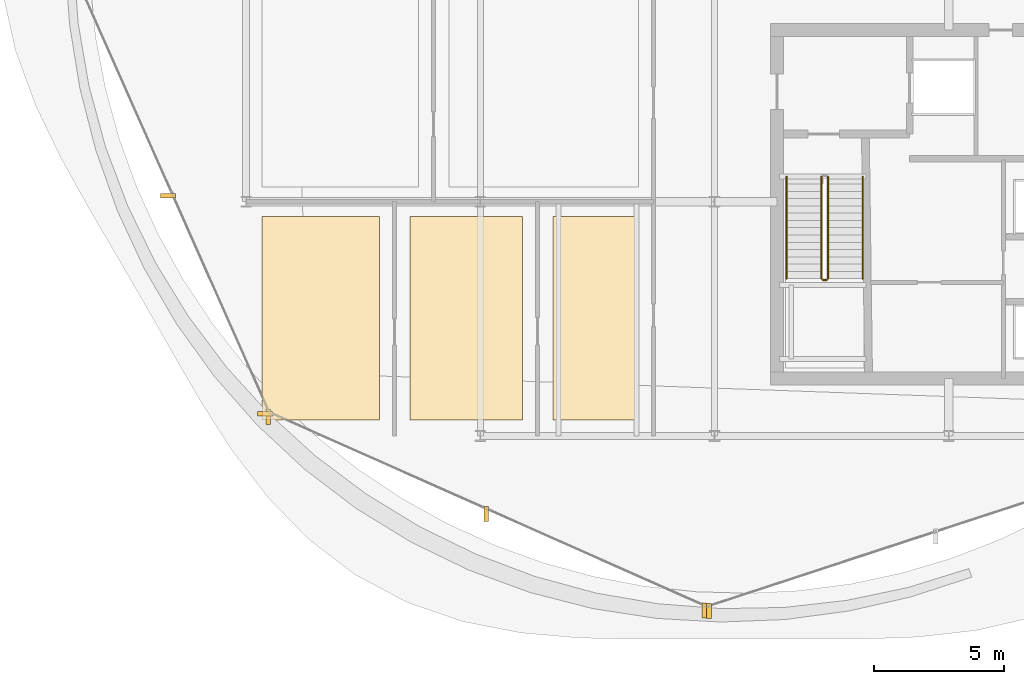
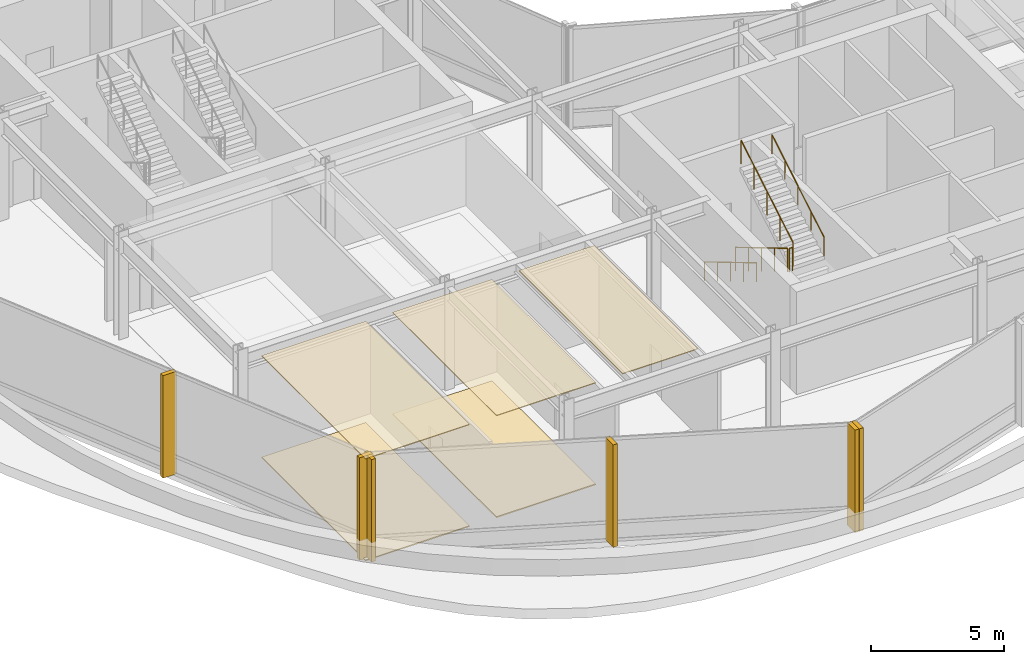
# One storey, part 23 of 29: 11 coverings, 5 railings.
"""IFC4 building model written with IfcOpenShell, lengths in metres."""

from ifc_helpers import new_model, si_unit, direction, frame, origin, origin_2d, place, context, subcontext, project, spatial, polyline, rectangle, circle, outline, extrude, material, layer, layer_set, type_object, element, save


model = new_model("IFC4")

# Units and contexts
model_context = context("Model", 3, precision=1e-05, world=origin(), true_north=direction((0.0, 1.0)))
body_context = subcontext(model_context, "Body", "Model", "MODEL_VIEW")
ifc_project = project(units=[si_unit("LENGTHUNIT", "METRE"), si_unit("AREAUNIT", "SQUARE_METRE"), si_unit("VOLUMEUNIT", "CUBIC_METRE"), si_unit("PLANEANGLEUNIT", "RADIAN"), si_unit("MASSUNIT", "GRAM", prefix="KILO")], contexts=[model_context])

# Site, building, storey
site_placement = place(None, origin())
site = spatial("IfcSite", under=ifc_project, at=site_placement, CompositionType="ELEMENT")
building_placement = place(site_placement, origin())
building = spatial("IfcBuilding", under=site, at=building_placement, Name="Solvaryn Broadcast Tower", CompositionType="ELEMENT")
storey_placement = place(building_placement, frame((0.0, 0.0, 169.199951171875)))
storey = spatial("IfcBuildingStorey", under=building, at=storey_placement, Name="L42", CompositionType="ELEMENT", Elevation=169.199951171875)

# Coverings
ifc_material_1 = material(Name="Micro-Perforated Acoustic Gypsum Ceiling", Category="concrete")
ifc_layer_1 = layer(ifc_material_1, 0.0400390625)
ifc_layer_set_1 = layer_set([ifc_layer_1], Name="CV-CEIL-ACOUSTIC")
covering_type_1 = type_object("IfcCoveringType", Name="CV-CEIL-ACOUSTIC", PredefinedType="CEILING", material=ifc_layer_set_1)
covering_1_placement = place(storey_placement, frame((0.0, 0.0, 4.679931640625)))
element("IfcCovering", 1, at=covering_1_placement, inside=storey, type_object=covering_type_1, Name="L42 Room Acoustic Ceiling 3", PredefinedType="CEILING", context=body_context, shape_type="SweptSolid", body=[
    extrude(outline(polyline([(9.60009765625, 9.60009765625), (14.1298828125, 9.60009765625), (14.1298828125, 17.429931640625), (9.60009765625, 17.429931640625), (9.60009765625, 9.60009765625)])), origin(), (0.0, 0.0, 1.0), 0.0400390625),
])
covering_2_placement = place(storey_placement, frame((0.0, 0.0, 4.679931640625)))
element("IfcCovering", 2, at=covering_2_placement, inside=storey, type_object=covering_type_1, Name="L42 Room Acoustic Ceiling 4", PredefinedType="CEILING", context=body_context, shape_type="SweptSolid", body=[
    extrude(outline(polyline([(15.300048828125, 9.60009765625), (19.6298828125, 9.60009765625), (19.6298828125, 17.429931640625), (15.300048828125, 17.429931640625), (15.300048828125, 9.60009765625)])), origin(), (0.0, 0.0, 1.0), 0.0400390625),
])
covering_3_placement = place(storey_placement, frame((0.0, 0.0, 4.679931640625)))
element("IfcCovering", 3, at=covering_3_placement, inside=storey, type_object=covering_type_1, Name="L42 Room Acoustic Ceiling 5", PredefinedType="CEILING", context=body_context, shape_type="SweptSolid", body=[
    extrude(outline(polyline([(20.800048828125, 9.60009765625), (24.080078125, 9.60009765625), (24.080078125, 17.429931640625), (20.800048828125, 17.429931640625), (20.800048828125, 9.60009765625)])), origin(), (0.0, 0.0, 1.0), 0.0400390625),
])
ifc_material_2 = material(Name="Newsroom Raised Data Access Flooring", Category="steel")
ifc_layer_2 = layer(ifc_material_2, 0.050048828125)
ifc_layer_set_2 = layer_set([ifc_layer_2], Name="CV-FLOOR-RAISED")
covering_type_2 = type_object("IfcCoveringType", Name="CV-FLOOR-RAISED", PredefinedType="FLOORING", material=ifc_layer_set_2)
covering_4_placement = place(storey_placement, origin())
element("IfcCovering", 4, at=covering_4_placement, inside=storey, type_object=covering_type_2, Name="L42 Room Acoustic Floor Finish 3", PredefinedType="FLOORING", context=body_context, shape_type="SweptSolid", body=[
    extrude(outline(polyline([(9.60009765625, 9.60009765625), (14.1298828125, 9.60009765625), (14.1298828125, 17.429931640625), (9.60009765625, 17.429931640625), (9.60009765625, 9.60009765625)])), origin(), (0.0, 0.0, 1.0), 0.050048828125),
])
covering_5_placement = place(storey_placement, origin())
element("IfcCovering", 5, at=covering_5_placement, inside=storey, type_object=covering_type_2, Name="L42 Room Acoustic Floor Finish 4", PredefinedType="FLOORING", context=body_context, shape_type="SweptSolid", body=[
    extrude(outline(polyline([(15.300048828125, 9.60009765625), (19.6298828125, 9.60009765625), (19.6298828125, 17.429931640625), (15.300048828125, 17.429931640625), (15.300048828125, 9.60009765625)])), origin(), (0.0, 0.0, 1.0), 0.050048828125),
])
ifc_material_3 = material(Name="Extruded Architectural Terracotta Fin", Category="masonry")
ifc_layer_3 = layer(ifc_material_3, 0.179931640625)
ifc_layer_set_3 = layer_set([ifc_layer_3], Name="CV-TC-FIN")
covering_type_3 = type_object("IfcCoveringType", Name="CV-TC-FIN", PredefinedType="USERDEFINED", material=ifc_layer_set_3)
for number, where, z_axis, x_axis, name in (
    (6, (6.001220703125, 18.229248046875, 0.0), (0.0, 0.0, 1.0), (1.0, 0.0, 0.0), "L42 Terracotta Vertical Fin FIN-L42-DR2-M01"),
    (7, (9.7216796875, 9.852783203125, 0.0), (0.0, 0.0, 1.0), (1.0, 0.0, 0.0), "L42 Terracotta Vertical Fin FIN-L42-DR2-M02"),
):
    element("IfcCovering", number, at=place(storey_placement, frame(where, z_axis=z_axis, x_axis=x_axis)), inside=storey, type_object=covering_type_3, Name=name, ObjectType="FIN", PredefinedType="USERDEFINED", context=body_context, shape_type="SweptSolid", body=[
        extrude(rectangle(XDim=0.580078125, YDim=0.179931640625, at=origin_2d()), origin(), (0.0, 0.0, 1.0), 4.719970703125),
    ])
for number, where, z_axis, x_axis, name in (
    (8, (9.852783203125, 9.7216796875, 0.0), (0.0, 0.0, 1.0), (1.0, 0.0, 0.0), "L42 Terracotta Vertical Fin FIN-L42-DR3-M00"),
    (9, (18.229248046875, 6.001220703125, 0.0), (0.0, 0.0, 1.0), (1.0, 0.0, 0.0), "L42 Terracotta Vertical Fin FIN-L42-DR3-M01"),
    (10, (26.605712890625, 2.281005859375, 0.0), (0.0, 0.0, 1.0), (1.0, 0.0, 0.0), "L42 Terracotta Vertical Fin FIN-L42-DR3-M02"),
    (11, (26.790771484375, 2.271240234375, 0.0), (0.0, 0.0, 1.0), (1.0, 0.0, 0.0), "L42 Terracotta Vertical Fin FIN-L42-DR4-M00"),
):
    element("IfcCovering", number, at=place(storey_placement, frame(where, z_axis=z_axis, x_axis=x_axis)), inside=storey, type_object=covering_type_3, Name=name, ObjectType="FIN", PredefinedType="USERDEFINED", context=body_context, shape_type="SweptSolid", body=[
        extrude(rectangle(XDim=0.179931640625, YDim=0.580078125, at=origin_2d()), origin(), (0.0, 0.0, 1.0), 4.719970703125),
    ])

# Railings
ifc_material_4 = material(Name="Painted Steel Stair Well Guard", Category="steel")
railing_type_1 = type_object("IfcRailingType", Name="RL-STAIR-GUARD", PredefinedType="BALUSTRADE", material=ifc_material_4)
railing_1_placement = place(storey_placement, frame((31.110107421875, 18.9599609375, 0.166748046875)))
element("IfcRailing", 12, at=railing_1_placement, inside=storey, type_object=railing_type_1, Name="L42 ST3 stair guard 1", PredefinedType="BALUSTRADE", context=body_context, shape_type="SweptSolid", body=[
    extrude(circle(Radius=0.02392578125, at=origin_2d()), frame((0.0, 0.0, 1.076171875), z_axis=(0.0, -0.859296244711, 0.511478214419), x_axis=(1.0, 0.0, 0.0)), (0.0, 0.0, 1.0), 4.561767578125),
    extrude(circle(Radius=0.02099609375, at=origin_2d()), origin(), (0.0, 0.0, 1.0), 1.052001953125),
    extrude(circle(Radius=0.02099609375, at=origin_2d()), frame((0.0, -0.97998046875, 0.583251953125)), (0.0, 0.0, 1.0), 1.052001953125),
    extrude(circle(Radius=0.02099609375, at=origin_2d()), frame((0.0, -1.9599609375, 1.16650390625)), (0.0, 0.0, 1.0), 1.052001953125),
    extrude(circle(Radius=0.02099609375, at=origin_2d()), frame((0.0, -2.93994140625, 1.75)), (0.0, 0.0, 1.0), 1.052001953125),
    extrude(circle(Radius=0.02099609375, at=origin_2d()), frame((0.0, -3.919921875, 2.333251953125)), (0.0, 0.0, 1.0), 1.052001953125),
])
railing_2_placement = place(storey_placement, frame((31.159912109375, 14.989990234375, 2.5)))
element("IfcRailing", 13, at=railing_2_placement, inside=storey, type_object=railing_type_1, Name="L42 ST3 stair guard 2", PredefinedType="BALUSTRADE", context=body_context, shape_type="SweptSolid", body=[
    extrude(circle(Radius=0.02392578125, at=origin_2d()), frame((0.0, 0.0, 1.076171875), z_axis=(1.0, 0.0, 0.0), x_axis=(0.0, 1.0, 0.0)), (0.0, 0.0, 1.0), 0.150146484375),
    extrude(circle(Radius=0.02099609375, at=origin_2d()), origin(), (0.0, 0.0, 1.0), 1.052001953125),
    extrude(circle(Radius=0.02099609375, at=origin_2d()), frame((0.150146484375, 0.0, 0.0)), (0.0, 0.0, 1.0), 1.052001953125),
])
railing_3_placement = place(storey_placement, frame((31.360107421875, 15.0400390625, 2.666748046875)))
element("IfcRailing", 14, at=railing_3_placement, inside=storey, type_object=railing_type_1, Name="L42 ST3 stair guard 3", PredefinedType="BALUSTRADE", context=body_context, shape_type="SweptSolid", body=[
    extrude(circle(Radius=0.02392578125, at=origin_2d()), frame((0.0, 0.0, 1.076171875), z_axis=(0.0, 0.859296244711, 0.511478214419), x_axis=(-1.0, 0.0, 0.0)), (0.0, 0.0, 1.0), 4.561767578125),
    extrude(circle(Radius=0.02099609375, at=origin_2d()), origin(), (0.0, 0.0, 1.0), 1.052001953125),
    extrude(circle(Radius=0.02099609375, at=origin_2d()), frame((0.0, 0.97998046875, 0.583251953125)), (0.0, 0.0, 1.0), 1.052001953125),
    extrude(circle(Radius=0.02099609375, at=origin_2d()), frame((0.0, 1.9599609375, 1.16650390625)), (0.0, 0.0, 1.0), 1.052001953125),
    extrude(circle(Radius=0.02099609375, at=origin_2d()), frame((0.0, 2.93994140625, 1.75)), (0.0, 0.0, 1.0), 1.052001953125),
    extrude(circle(Radius=0.02099609375, at=origin_2d()), frame((0.0, 3.919921875, 2.333251953125)), (0.0, 0.0, 1.0), 1.052001953125),
])
ifc_material_5 = material(Name="Brushed Stainless Steel Tubular Handrail", Category="steel")
railing_type_2 = type_object("IfcRailingType", Name="RL-STAIR-HANDRAIL", PredefinedType="HANDRAIL", material=ifc_material_5)
railing_4_placement = place(storey_placement, frame((29.77001953125, 18.9599609375, 0.166748046875)))
element("IfcRailing", 15, at=railing_4_placement, inside=storey, type_object=railing_type_2, Name="L42 ST3 stair handrail 1", PredefinedType="HANDRAIL", context=body_context, shape_type="SweptSolid", body=[
    extrude(circle(Radius=0.02392578125, at=origin_2d()), frame((0.0, 0.0, 0.8759765625), z_axis=(0.0, -0.859296244711, 0.511478214419), x_axis=(1.0, 0.0, 0.0)), (0.0, 0.0, 1.0), 4.561767578125),
    extrude(circle(Radius=0.02099609375, at=origin_2d()), origin(), (0.0, 0.0, 1.0), 0.851806640625),
    extrude(circle(Radius=0.02099609375, at=origin_2d()), frame((0.0, -0.97998046875, 0.583251953125)), (0.0, 0.0, 1.0), 0.851806640625),
    extrude(circle(Radius=0.02099609375, at=origin_2d()), frame((0.0, -1.9599609375, 1.16650390625)), (0.0, 0.0, 1.0), 0.851806640625),
    extrude(circle(Radius=0.02099609375, at=origin_2d()), frame((0.0, -2.93994140625, 1.75)), (0.0, 0.0, 1.0), 0.851806640625),
    extrude(circle(Radius=0.02099609375, at=origin_2d()), frame((0.0, -3.919921875, 2.333251953125)), (0.0, 0.0, 1.0), 0.851806640625),
])
railing_5_placement = place(storey_placement, frame((32.699951171875, 15.0400390625, 2.666748046875)))
element("IfcRailing", 16, at=railing_5_placement, inside=storey, type_object=railing_type_2, Name="L42 ST3 stair handrail 2", PredefinedType="HANDRAIL", context=body_context, shape_type="SweptSolid", body=[
    extrude(circle(Radius=0.02392578125, at=origin_2d()), frame((0.0, 0.0, 0.8759765625), z_axis=(0.0, 0.859296244711, 0.511478214419), x_axis=(-1.0, 0.0, 0.0)), (0.0, 0.0, 1.0), 4.561767578125),
    extrude(circle(Radius=0.02099609375, at=origin_2d()), origin(), (0.0, 0.0, 1.0), 0.851806640625),
    extrude(circle(Radius=0.02099609375, at=origin_2d()), frame((0.0, 0.97998046875, 0.583251953125)), (0.0, 0.0, 1.0), 0.851806640625),
    extrude(circle(Radius=0.02099609375, at=origin_2d()), frame((0.0, 1.9599609375, 1.16650390625)), (0.0, 0.0, 1.0), 0.851806640625),
    extrude(circle(Radius=0.02099609375, at=origin_2d()), frame((0.0, 2.93994140625, 1.75)), (0.0, 0.0, 1.0), 0.851806640625),
    extrude(circle(Radius=0.02099609375, at=origin_2d()), frame((0.0, 3.919921875, 2.333251953125)), (0.0, 0.0, 1.0), 0.851806640625),
])

save(model, "model.ifc")
